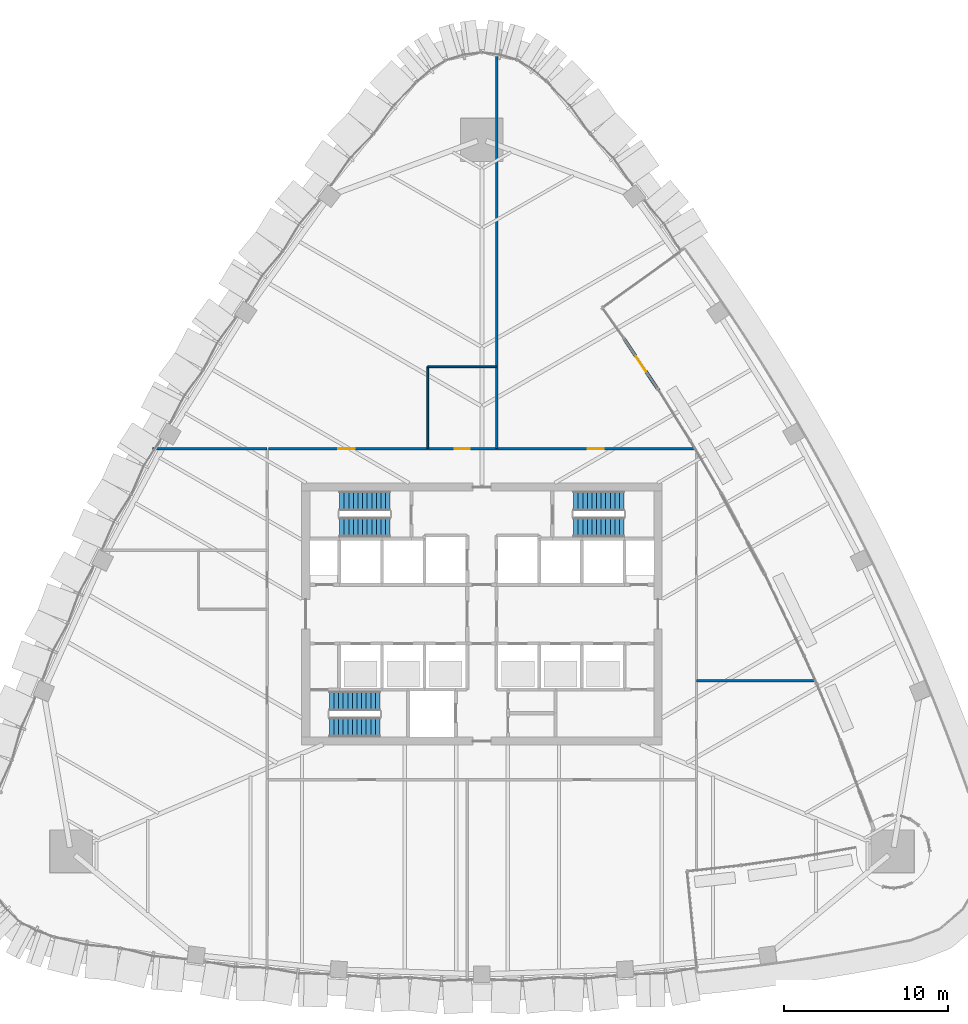
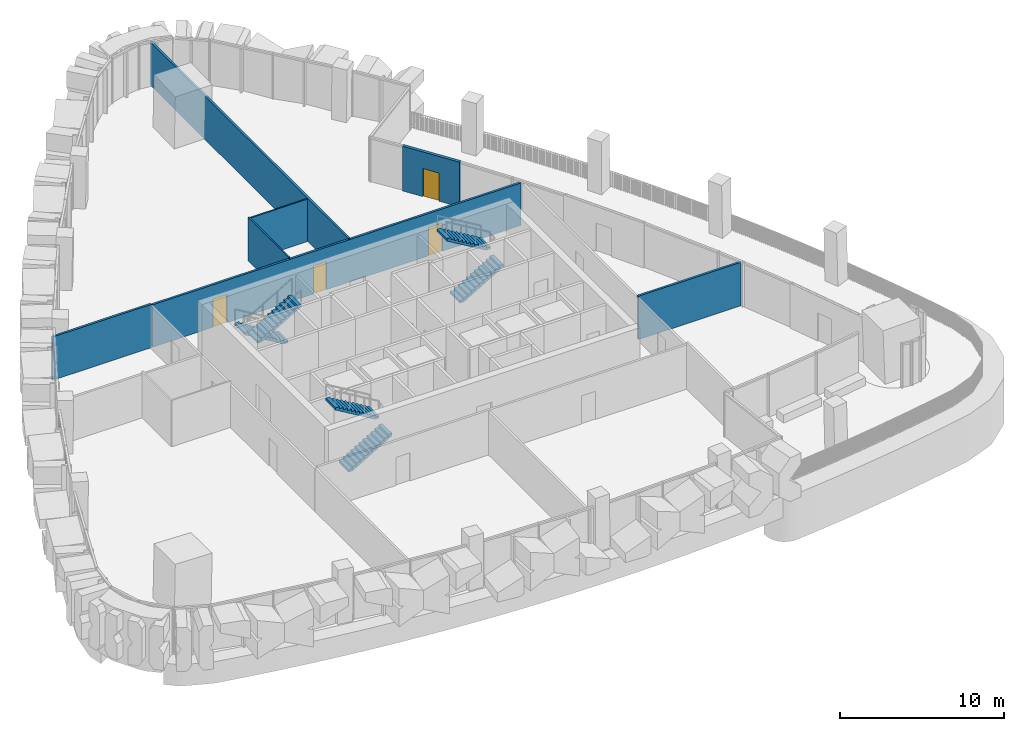
# One storey, part 15 of 20: 7 walls, 6 stair flights, 4 doors, 4 openings, 3 elements without a shape of their own.
"""IFC4 building model written with IfcOpenShell, lengths in metres."""

from ifc_helpers import new_model, si_unit, direction, frame, frame_2d, origin, place, context, subcontext, project, spatial, polyline, rectangle, outline, extrude, material, layer, layer_set, type_object, element, fill, aggregate, save


model = new_model("IFC4")

# Units and contexts
model_context = context("Model", 3, precision=1e-05, world=origin(), true_north=direction((0.0, 1.0)))
body_context = subcontext(model_context, "Body", "Model", "MODEL_VIEW")
ifc_project = project(units=[si_unit("LENGTHUNIT", "METRE"), si_unit("AREAUNIT", "SQUARE_METRE"), si_unit("VOLUMEUNIT", "CUBIC_METRE"), si_unit("PLANEANGLEUNIT", "RADIAN"), si_unit("MASSUNIT", "GRAM", prefix="KILO")], contexts=[model_context])

# Site, building, storey
site_placement = place(None, origin())
site = spatial("IfcSite", under=ifc_project, at=site_placement, CompositionType="ELEMENT")
building_placement = place(site_placement, origin())
building = spatial("IfcBuilding", under=site, at=building_placement, Name="Sierra Prisma Convention Tower", CompositionType="ELEMENT")
storey_placement = place(building_placement, frame((0.0, 0.0, 125.800048828125)))
storey = spatial("IfcBuildingStorey", under=building, at=storey_placement, Name="L26", CompositionType="ELEMENT", Elevation=125.800048828125)

# Walls
ifc_material_1 = material(Name="Gypsum board partition", Category="gypsum")
ifc_layer_1 = layer(ifc_material_1, 0.10009765625)
ifc_layer_set_1 = layer_set([ifc_layer_1], Name="Bathroom partition 100")
wall_type_1 = type_object("IfcWallType", Name="Bathroom partition 100", PredefinedType="PARTITIONING", material=ifc_layer_set_1)
wall_1_placement = place(storey_placement, frame((-3.300048828125, 10.1298828125, 0.0), z_axis=(0.0, 0.0, 1.0), x_axis=(0.0, 1.0, 0.0)))
element("IfcWall", 1, at=wall_1_placement, inside=storey, type_object=wall_type_1, Name="Partition L26 bath 3", PredefinedType="PARTITIONING", context=body_context, shape_type="SweptSolid", body=[
    extrude(rectangle(XDim=4.97021484375, YDim=0.10009765625, at=frame_2d((2.485107421875, 0.0))), origin(), (0.0, 0.0, 1.0), 3.2470703125),
])
wall_2_placement = place(storey_placement, frame((-3.300048828125, 15.10009765625, 0.0), z_axis=(0.0, 0.0, 1.0), x_axis=(1.0, 0.0, 0.0)))
element("IfcWall", 2, at=wall_2_placement, inside=storey, type_object=wall_type_1, Name="Partition L26 bath 4", PredefinedType="PARTITIONING", context=body_context, shape_type="SweptSolid", body=[
    extrude(rectangle(XDim=4.170166015625, YDim=0.10009765625, at=frame_2d((2.0849609375, 0.0))), origin(), (0.0, 0.0, 1.0), 3.166015625),
])

# Wall, openings, doors
ifc_material_2 = material(Name="Gypsum board partition", Category="gypsum")
ifc_layer_2 = layer(ifc_material_2, 0.14990234375)
ifc_layer_set_2 = layer_set([ifc_layer_2], Name="Corridor wall 150 gypsum EI 60")
wall_type_2 = type_object("IfcWallType", Name="Corridor wall 150 gypsum EI 60", PredefinedType="PARTITIONING", material=ifc_layer_set_2)
wall_3_placement = place(storey_placement, frame((13.0048828125, 10.10009765625, 0.0), z_axis=(0.0, 0.0, 1.0), x_axis=(-1.0, 0.0, 0.0)))
wall_3 = element("IfcWall", 3, at=wall_3_placement, inside=storey, type_object=wall_type_2, Name="Partition L26 corr 3", PredefinedType="PARTITIONING", context=body_context, shape_type="SweptSolid", body=[
    extrude(rectangle(XDim=26.02490234375, YDim=0.14990234375, at=frame_2d((13.012451171875, 0.0))), origin(), (0.0, 0.0, 1.0), 3.166015625),
])
opening_1_placement = place(wall_3_placement, frame((5.552490234375, 0.0, 0.0)))
opening_1 = element("IfcOpeningElement", 4, at=opening_1_placement, cuts=wall_3, Name="Opening L26-D028", PredefinedType="OPENING", context=body_context, shape_type="SweptSolid", body=[
    extrude(rectangle(XDim=1.0, YDim=2.10009765625, at=frame_2d((0.5, 1.050048828125))), frame((0.0, 0.074951171875, 0.0), z_axis=(0.0, -1.0, 0.0), x_axis=(1.0, 0.0, 0.0)), (0.0, 0.0, 1.0), 0.14990234375),
])
opening_2_placement = place(wall_3_placement, frame((13.7548828125, 0.0, 0.0)))
opening_2 = element("IfcOpeningElement", 5, at=opening_2_placement, cuts=wall_3, Name="Opening L26-D029", PredefinedType="OPENING", context=body_context, shape_type="SweptSolid", body=[
    extrude(rectangle(XDim=0.89990234375, YDim=2.10009765625, at=frame_2d((0.449951171875, 1.050048828125))), frame((0.0, 0.074951171875, 0.0), z_axis=(0.0, -1.0, 0.0), x_axis=(1.0, 0.0, 0.0)), (0.0, 0.0, 1.0), 0.14990234375),
])
opening_3_placement = place(wall_3_placement, frame((20.764892578125, 0.0, 0.0)))
opening_3 = element("IfcOpeningElement", 6, at=opening_3_placement, cuts=wall_3, Name="Opening L26-D030", PredefinedType="OPENING", context=body_context, shape_type="SweptSolid", body=[
    extrude(rectangle(XDim=1.0, YDim=2.10009765625, at=frame_2d((0.5, 1.050048828125))), frame((0.0, 0.074951171875, 0.0), z_axis=(0.0, -1.0, 0.0), x_axis=(1.0, 0.0, 0.0)), (0.0, 0.0, 1.0), 0.14990234375),
])
ifc_material_3 = material(Name="Steel fire door leaf", Category="steel")
door_type_1 = type_object("IfcDoorType", Name="Door 1000x2100 FD30S", OperationType="SINGLE_SWING_LEFT", PredefinedType="DOOR", material=ifc_material_3)
door_1_placement = place(opening_1_placement, origin())
door_1 = element("IfcDoor", 7, at=door_1_placement, inside=storey, type_object=door_type_1, Name="Door L26 2", OperationType="SINGLE_SWING_RIGHT", OverallHeight=2.10009765625, OverallWidth=1.0, PredefinedType="DOOR", context=body_context, shape_type="SweptSolid", body=[
    extrude(rectangle(XDim=1.0, YDim=2.10009765625, at=frame_2d((0.5, 1.050048828125))), frame((0.0, 0.02490234375, 0.0), z_axis=(0.0, -1.0, 0.0), x_axis=(1.0, 0.0, 0.0)), (0.0, 0.0, 1.0), 0.050048828125),
])
fill(opening_1, door_1)
door_2_placement = place(opening_3_placement, origin())
door_2 = element("IfcDoor", 8, at=door_2_placement, inside=storey, type_object=door_type_1, Name="Door L26 4", OperationType="SINGLE_SWING_LEFT", OverallHeight=2.10009765625, OverallWidth=1.0, PredefinedType="DOOR", context=body_context, shape_type="SweptSolid", body=[
    extrude(rectangle(XDim=1.0, YDim=2.10009765625, at=frame_2d((0.5, 1.050048828125))), frame((0.0, 0.02490234375, 0.0), z_axis=(0.0, -1.0, 0.0), x_axis=(1.0, 0.0, 0.0)), (0.0, 0.0, 1.0), 0.050048828125),
])
fill(opening_3, door_2)
ifc_material_4 = material(Name="Steel fire door leaf", Category="steel")
door_type_2 = type_object("IfcDoorType", Name="Door 900x2100 FD30S", OperationType="SINGLE_SWING_LEFT", PredefinedType="DOOR", material=ifc_material_4)
door_3_placement = place(opening_2_placement, origin())
door_3 = element("IfcDoor", 9, at=door_3_placement, inside=storey, type_object=door_type_2, Name="Door L26 3", OperationType="SINGLE_SWING_LEFT", OverallHeight=2.10009765625, OverallWidth=0.89990234375, PredefinedType="DOOR", context=body_context, shape_type="SweptSolid", body=[
    extrude(rectangle(XDim=0.89990234375, YDim=2.10009765625, at=frame_2d((0.449951171875, 1.050048828125))), frame((0.0, 0.02490234375, 0.0), z_axis=(0.0, -1.0, 0.0), x_axis=(1.0, 0.0, 0.0)), (0.0, 0.0, 1.0), 0.050048828125),
])
fill(opening_2, door_3)

# Walls
ifc_material_5 = material(Name="Gypsum board partition", Category="gypsum")
ifc_layer_3 = layer(ifc_material_5, 0.14990234375)
ifc_layer_set_3 = layer_set([ifc_layer_3], Name="Party wall 150 gypsum")
wall_type_3 = type_object("IfcWallType", Name="Party wall 150 gypsum", PredefinedType="PARTITIONING", material=ifc_layer_set_3)
wall_4_placement = place(storey_placement, frame((-13.10009765625, 10.10009765625, 0.0), z_axis=(0.0, 0.0, 1.0), x_axis=(-1.0, 0.0, 0.0)))
element("IfcWall", 10, at=wall_4_placement, inside=storey, type_object=wall_type_3, Name="Partition L26 party 2", PredefinedType="PARTITIONING", context=body_context, shape_type="SweptSolid", body=[
    extrude(rectangle(XDim=7.0, YDim=0.14990234375, at=frame_2d((3.5, 0.0))), origin(), (0.0, 0.0, 1.0), 3.23388671875),
])
wall_5_placement = place(storey_placement, frame((0.89990234375, 10.10009765625, 0.0), z_axis=(0.0, 0.0, 1.0), x_axis=(0.0, 1.0, 0.0)))
element("IfcWall", 11, at=wall_5_placement, inside=storey, type_object=wall_type_3, Name="Partition L26 party 5", PredefinedType="PARTITIONING", context=body_context, shape_type="SweptSolid", body=[
    extrude(rectangle(XDim=24.249755859375, YDim=0.14990234375, at=frame_2d((12.125, 0.0))), origin(), (0.0, 0.0, 1.0), 3.23388671875),
])
wall_6_placement = place(storey_placement, frame((20.3388671875, -4.05908203125, 0.0), z_axis=(0.0, 0.0, 1.0), x_axis=(-1.0, 0.0, 0.0)))
element("IfcWall", 12, at=wall_6_placement, inside=storey, type_object=wall_type_3, Name="Partition L26 party 7", PredefinedType="PARTITIONING", context=body_context, shape_type="SweptSolid", body=[
    extrude(rectangle(XDim=7.23876953125, YDim=0.14990234375, at=frame_2d((3.619384765625, 0.0))), origin(), (0.0, 0.0, 1.0), 3.2470703125),
])

# Wall, opening, door
ifc_material_6 = material(Name="Precast concrete C40/50", Category="concrete")
ifc_layer_4 = layer(ifc_material_6, 0.199951171875)
ifc_layer_set_4 = layer_set([ifc_layer_4], Name="Terrace door pier")
wall_type_4 = type_object("IfcWallType", Name="Terrace door pier", PredefinedType="SOLIDWALL", material=ifc_layer_set_4)
wall_7_placement = place(storey_placement, frame((10.79443359375, 13.647705078125, 0.0), z_axis=(0.0, 0.0, 1.0), x_axis=(-0.556705257018, 0.830710091914, 0.0)))
wall_7 = element("IfcWall", 13, at=wall_7_placement, inside=storey, type_object=wall_type_4, Name="Terrace door bay L26.35", PredefinedType="SOLIDWALL", context=body_context, shape_type="SweptSolid", body=[
    extrude(rectangle(XDim=3.902587890625, YDim=0.199951171875, at=frame_2d((1.951171875, 0.0))), origin(), (0.0, 0.0, 1.0), 3.33984375),
])
opening_4_placement = place(wall_7_placement, frame((1.4013671875, 0.0, 0.0)))
opening_4 = element("IfcOpeningElement", 14, at=opening_4_placement, cuts=wall_7, Name="Opening L26-D003", PredefinedType="OPENING", context=body_context, shape_type="SweptSolid", body=[
    extrude(rectangle(XDim=1.10009765625, YDim=2.10009765625, at=frame_2d((0.550048828125, 1.050048828125))), frame((0.0, 0.10009765625, 0.0), z_axis=(0.0, -1.0, 0.0), x_axis=(1.0, 0.0, 0.0)), (0.0, 0.0, 1.0), 0.199951171875),
])
ifc_material_7 = material(Name="Bronze anodised aluminium and glass", Category="aluminium")
door_type_3 = type_object("IfcDoorType", Name="Terrace door 1100 x 2100", OperationType="SINGLE_SWING_LEFT", PredefinedType="DOOR", material=ifc_material_7)
door_4_placement = place(opening_4_placement, origin())
door_4 = element("IfcDoor", 15, at=door_4_placement, inside=storey, type_object=door_type_3, Name="Terrace door L26.35", OperationType="SINGLE_SWING_RIGHT", OverallHeight=2.10009765625, OverallWidth=1.10009765625, PredefinedType="DOOR", context=body_context, shape_type="SweptSolid", body=[
    extrude(rectangle(XDim=1.10009765625, YDim=2.10009765625, at=frame_2d((0.550048828125, 1.050048828125))), frame((0.0, 0.02490234375, 0.0), z_axis=(0.0, -1.0, 0.0), x_axis=(1.0, 0.0, 0.0)), (0.0, 0.0, 1.0), 0.050048828125),
])
fill(opening_4, door_4)

# Stair, stair flights
ifc_material_8 = material(Name="Concrete C30/37", Category="concrete")
stair_type = type_object("IfcStairType", Name="Stair dog-leg 1200 RC", PredefinedType="HALF_TURN_STAIR", material=ifc_material_8)
stair_1_placement = place(storey_placement, origin())
stair_1 = element("IfcStair", 16, at=stair_1_placement, inside=storey, type_object=stair_type, Name="L26 S1", PredefinedType="HALF_TURN_STAIR")
ifc_material_9 = material(Name="Concrete C30/37", Category="concrete")
stair_flight_type = type_object("IfcStairFlightType", Name="Stair flight RC 1200", PredefinedType="STRAIGHT", material=ifc_material_9)
stair_flight_1_placement = place(storey_placement, frame((-9.300048828125, -6.89990234375, 0.0), z_axis=(0.0, 0.0, 1.0), x_axis=(1.0, 0.0, 0.0)))
stair_flight_1 = element("IfcStairFlight", 17, at=stair_flight_1_placement, type_object=stair_flight_type, Name="S1 flight 1", NumberOfRisers=12, NumberOfTreads=11, PredefinedType="STRAIGHT", RiserHeight=0.166666667, TreadLength=0.28, context=body_context, shape_type="SweptSolid", body=[
    extrude(outline(polyline([(0.0, 0.0), (0.0, 0.166748046875), (0.280029296875, 0.166748046875), (0.280029296875, 0.333251953125), (0.56005859375, 0.333251953125), (0.56005859375, 0.5), (0.840087890625, 0.5), (0.840087890625, 0.666748046875), (1.1201171875, 0.666748046875), (1.1201171875, 0.833251953125), (1.39990234375, 0.833251953125), (1.39990234375, 1.0), (1.679931640625, 1.0), (1.679931640625, 1.166748046875), (1.9599609375, 1.166748046875), (1.9599609375, 1.333251953125), (2.239990234375, 1.333251953125), (2.239990234375, 1.5), (2.52001953125, 1.5), (2.52001953125, 1.666748046875), (2.800048828125, 1.666748046875), (2.800048828125, 1.833251953125), (3.080078125, 1.833251953125), (3.080078125, 2.0), (3.080078125, 1.658935546875), (0.29296875, 0.0), (0.0, 0.0)])), frame((0.0, 0.60009765625, 0.0), z_axis=(0.0, -1.0, 0.0), x_axis=(1.0, 0.0, 0.0)), (0.0, 0.0, 1.0), 1.199951171875),
])
stair_flight_2_placement = place(storey_placement, frame((-6.219970703125, -5.300048828125, 2.0), z_axis=(0.0, 0.0, 1.0), x_axis=(-1.0, 0.0, 0.0)))
stair_flight_2 = element("IfcStairFlight", 18, at=stair_flight_2_placement, type_object=stair_flight_type, Name="S1 flight 2", NumberOfRisers=12, NumberOfTreads=11, PredefinedType="STRAIGHT", RiserHeight=0.166666667, TreadLength=0.28, context=body_context, shape_type="SweptSolid", body=[
    extrude(outline(polyline([(0.0, 0.0), (0.0, 0.166748046875), (0.280029296875, 0.166748046875), (0.280029296875, 0.333251953125), (0.56005859375, 0.333251953125), (0.56005859375, 0.5), (0.840087890625, 0.5), (0.840087890625, 0.666748046875), (1.1201171875, 0.666748046875), (1.1201171875, 0.833251953125), (1.39990234375, 0.833251953125), (1.39990234375, 1.0), (1.679931640625, 1.0), (1.679931640625, 1.166748046875), (1.9599609375, 1.166748046875), (1.9599609375, 1.333251953125), (2.239990234375, 1.333251953125), (2.239990234375, 1.5), (2.52001953125, 1.5), (2.52001953125, 1.666748046875), (2.800048828125, 1.666748046875), (2.800048828125, 1.833251953125), (3.080078125, 1.833251953125), (3.080078125, 2.0), (3.080078125, 1.658935546875), (0.29296875, 0.0), (0.0, 0.0)])), frame((0.0, 0.60009765625, 0.0), z_axis=(0.0, -1.0, 0.0), x_axis=(1.0, 0.0, 0.0)), (0.0, 0.0, 1.0), 1.199951171875),
])
aggregate(stair_1, [stair_flight_1, stair_flight_2])

stair_2_placement = place(storey_placement, origin())
stair_2 = element("IfcStair", 19, at=stair_2_placement, inside=storey, type_object=stair_type, Name="L26 S3", PredefinedType="HALF_TURN_STAIR")
stair_flight_3_placement = place(storey_placement, frame((-5.60009765625, 6.89990234375, 0.0), z_axis=(0.0, 0.0, 1.0), x_axis=(-1.0, 0.0, 0.0)))
stair_flight_3 = element("IfcStairFlight", 20, at=stair_flight_3_placement, type_object=stair_flight_type, Name="S3 flight 1", NumberOfRisers=12, NumberOfTreads=11, PredefinedType="STRAIGHT", RiserHeight=0.166666667, TreadLength=0.28, context=body_context, shape_type="SweptSolid", body=[
    extrude(outline(polyline([(0.0, 0.0), (0.0, 0.166748046875), (0.280029296875, 0.166748046875), (0.280029296875, 0.333251953125), (0.56005859375, 0.333251953125), (0.56005859375, 0.5), (0.840087890625, 0.5), (0.840087890625, 0.666748046875), (1.1201171875, 0.666748046875), (1.1201171875, 0.833251953125), (1.39990234375, 0.833251953125), (1.39990234375, 1.0), (1.679931640625, 1.0), (1.679931640625, 1.166748046875), (1.9599609375, 1.166748046875), (1.9599609375, 1.333251953125), (2.239990234375, 1.333251953125), (2.239990234375, 1.5), (2.52001953125, 1.5), (2.52001953125, 1.666748046875), (2.800048828125, 1.666748046875), (2.800048828125, 1.833251953125), (3.080078125, 1.833251953125), (3.080078125, 2.0), (3.080078125, 1.658935546875), (0.29296875, 0.0), (0.0, 0.0)])), frame((0.0, 0.60009765625, 0.0), z_axis=(0.0, -1.0, 0.0), x_axis=(1.0, 0.0, 0.0)), (0.0, 0.0, 1.0), 1.199951171875),
])
stair_flight_4_placement = place(storey_placement, frame((-8.679931640625, 5.300048828125, 2.0), z_axis=(0.0, 0.0, 1.0), x_axis=(1.0, 0.0, 0.0)))
stair_flight_4 = element("IfcStairFlight", 21, at=stair_flight_4_placement, type_object=stair_flight_type, Name="S3 flight 2", NumberOfRisers=12, NumberOfTreads=11, PredefinedType="STRAIGHT", RiserHeight=0.166666667, TreadLength=0.28, context=body_context, shape_type="SweptSolid", body=[
    extrude(outline(polyline([(0.0, 0.0), (0.0, 0.166748046875), (0.280029296875, 0.166748046875), (0.280029296875, 0.333251953125), (0.56005859375, 0.333251953125), (0.56005859375, 0.5), (0.840087890625, 0.5), (0.840087890625, 0.666748046875), (1.1201171875, 0.666748046875), (1.1201171875, 0.833251953125), (1.39990234375, 0.833251953125), (1.39990234375, 1.0), (1.679931640625, 1.0), (1.679931640625, 1.166748046875), (1.9599609375, 1.166748046875), (1.9599609375, 1.333251953125), (2.239990234375, 1.333251953125), (2.239990234375, 1.5), (2.52001953125, 1.5), (2.52001953125, 1.666748046875), (2.800048828125, 1.666748046875), (2.800048828125, 1.833251953125), (3.080078125, 1.833251953125), (3.080078125, 2.0), (3.080078125, 1.658935546875), (0.29296875, 0.0), (0.0, 0.0)])), frame((0.0, 0.60009765625, 0.0), z_axis=(0.0, -1.0, 0.0), x_axis=(1.0, 0.0, 0.0)), (0.0, 0.0, 1.0), 1.199951171875),
])
aggregate(stair_2, [stair_flight_3, stair_flight_4])

stair_3_placement = place(storey_placement, origin())
stair_3 = element("IfcStair", 22, at=stair_3_placement, inside=storey, type_object=stair_type, Name="L26 S4", PredefinedType="HALF_TURN_STAIR")
stair_flight_5_placement = place(storey_placement, frame((5.60009765625, 5.300048828125, 0.0), z_axis=(0.0, 0.0, 1.0), x_axis=(1.0, 0.0, 0.0)))
stair_flight_5 = element("IfcStairFlight", 23, at=stair_flight_5_placement, type_object=stair_flight_type, Name="S4 flight 1", NumberOfRisers=12, NumberOfTreads=11, PredefinedType="STRAIGHT", RiserHeight=0.166666667, TreadLength=0.28, context=body_context, shape_type="SweptSolid", body=[
    extrude(outline(polyline([(0.0, 0.0), (0.0, 0.166748046875), (0.280029296875, 0.166748046875), (0.280029296875, 0.333251953125), (0.56005859375, 0.333251953125), (0.56005859375, 0.5), (0.840087890625, 0.5), (0.840087890625, 0.666748046875), (1.1201171875, 0.666748046875), (1.1201171875, 0.833251953125), (1.39990234375, 0.833251953125), (1.39990234375, 1.0), (1.679931640625, 1.0), (1.679931640625, 1.166748046875), (1.9599609375, 1.166748046875), (1.9599609375, 1.333251953125), (2.239990234375, 1.333251953125), (2.239990234375, 1.5), (2.52001953125, 1.5), (2.52001953125, 1.666748046875), (2.800048828125, 1.666748046875), (2.800048828125, 1.833251953125), (3.080078125, 1.833251953125), (3.080078125, 2.0), (3.080078125, 1.658935546875), (0.29296875, 0.0), (0.0, 0.0)])), frame((0.0, 0.60009765625, 0.0), z_axis=(0.0, -1.0, 0.0), x_axis=(1.0, 0.0, 0.0)), (0.0, 0.0, 1.0), 1.199951171875),
])
stair_flight_6_placement = place(storey_placement, frame((8.679931640625, 6.89990234375, 2.0), z_axis=(0.0, 0.0, 1.0), x_axis=(-1.0, 0.0, 0.0)))
stair_flight_6 = element("IfcStairFlight", 24, at=stair_flight_6_placement, type_object=stair_flight_type, Name="S4 flight 2", NumberOfRisers=12, NumberOfTreads=11, PredefinedType="STRAIGHT", RiserHeight=0.166666667, TreadLength=0.28, context=body_context, shape_type="SweptSolid", body=[
    extrude(outline(polyline([(0.0, 0.0), (0.0, 0.166748046875), (0.280029296875, 0.166748046875), (0.280029296875, 0.333251953125), (0.56005859375, 0.333251953125), (0.56005859375, 0.5), (0.840087890625, 0.5), (0.840087890625, 0.666748046875), (1.1201171875, 0.666748046875), (1.1201171875, 0.833251953125), (1.39990234375, 0.833251953125), (1.39990234375, 1.0), (1.679931640625, 1.0), (1.679931640625, 1.166748046875), (1.9599609375, 1.166748046875), (1.9599609375, 1.333251953125), (2.239990234375, 1.333251953125), (2.239990234375, 1.5), (2.52001953125, 1.5), (2.52001953125, 1.666748046875), (2.800048828125, 1.666748046875), (2.800048828125, 1.833251953125), (3.080078125, 1.833251953125), (3.080078125, 2.0), (3.080078125, 1.658935546875), (0.29296875, 0.0), (0.0, 0.0)])), frame((0.0, 0.60009765625, 0.0), z_axis=(0.0, -1.0, 0.0), x_axis=(1.0, 0.0, 0.0)), (0.0, 0.0, 1.0), 1.199951171875),
])
aggregate(stair_3, [stair_flight_5, stair_flight_6])

save(model, "model.ifc")
